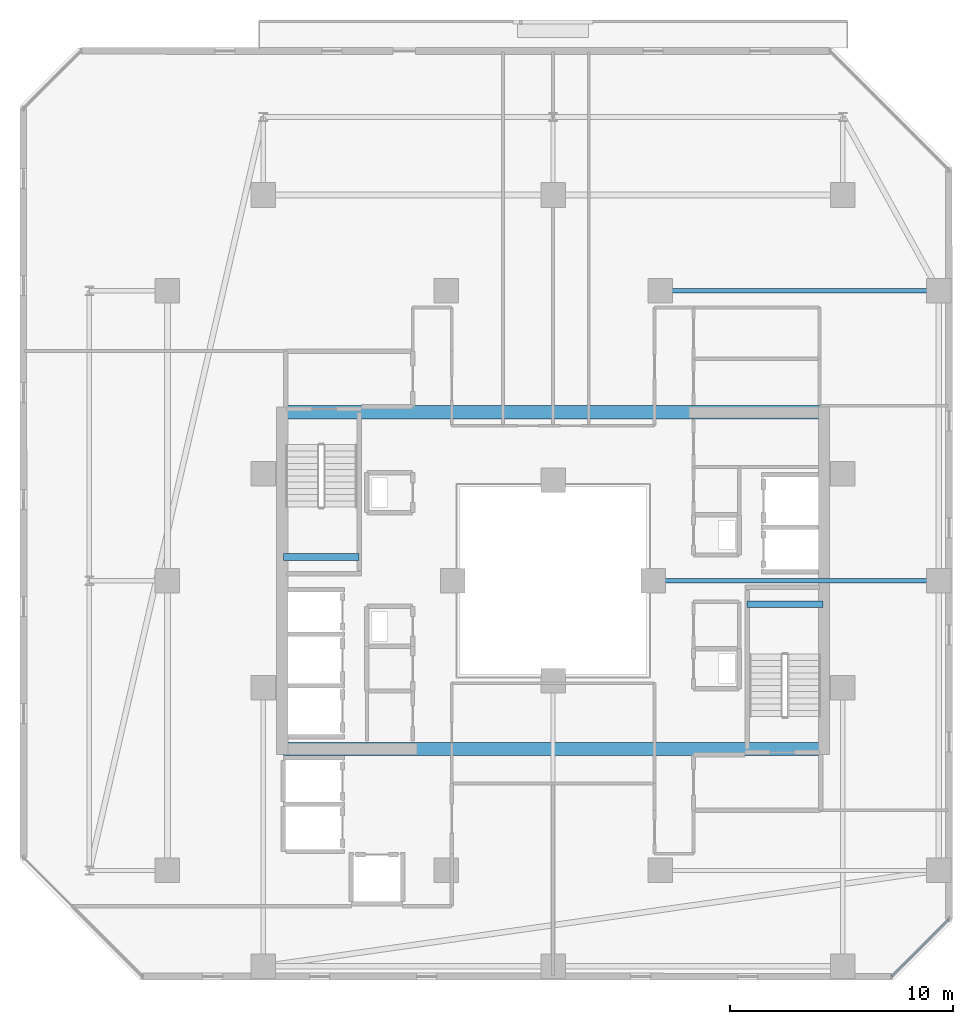
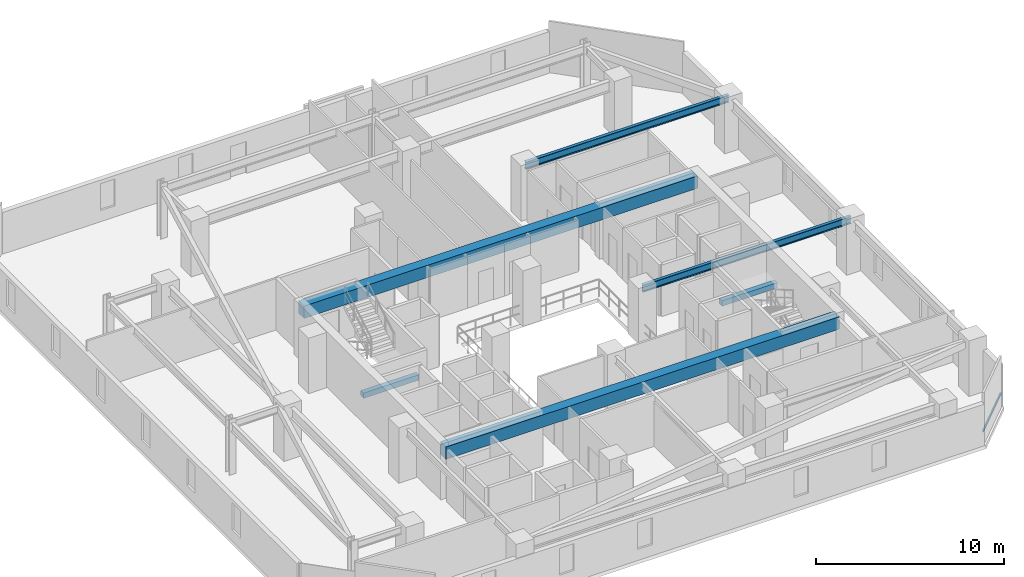
# One storey, part 14 of 33: 6 beams, 1 member, 1 element without a shape of its own.
"""IFC4 building model written with IfcOpenShell, lengths in metres."""

from ifc_helpers import new_model, si_unit, direction, frame, origin, origin_2d, place, context, subcontext, project, spatial, rectangle, hollow_rectangle, i_section, extrude, material, material_profile, profile_set, type_object, element, aggregate, save


model = new_model("IFC4")

# Units and contexts
model_context = context("Model", 3, precision=1e-05, world=origin(), true_north=direction((0.0, 1.0)))
body_context = subcontext(model_context, "Body", "Model", "MODEL_VIEW")
ifc_project = project(units=[si_unit("LENGTHUNIT", "METRE"), si_unit("AREAUNIT", "SQUARE_METRE"), si_unit("VOLUMEUNIT", "CUBIC_METRE"), si_unit("PLANEANGLEUNIT", "RADIAN"), si_unit("MASSUNIT", "GRAM", prefix="KILO")], contexts=[model_context])

# Site, building, storey
site_placement = place(None, origin())
site = spatial("IfcSite", under=ifc_project, at=site_placement, CompositionType="ELEMENT")
building_placement = place(site_placement, origin())
building = spatial("IfcBuilding", under=site, at=building_placement, Name="Thornwick Lancets Civic Towers", CompositionType="ELEMENT")
storey_placement = place(building_placement, frame((0.0, 0.0, 185.699951171875)))
storey = spatial("IfcBuildingStorey", under=building, at=storey_placement, Name="L49", CompositionType="ELEMENT", Elevation=185.699951171875)

# Beams
ifc_material_1 = material(Name="Concrete C60/75", Category="concrete")
ifc_material_profile_1 = material_profile(ifc_material_1, rectangle(XDim=0.60009765625, YDim=0.800048828125, at=origin_2d()), Name="RC 600x800")
ifc_profile_set_1 = profile_set([ifc_material_profile_1], Name="Concrete C60/75")
beam_type_1 = type_object("IfcBeamType", Name="BM_COUP_RC800", PredefinedType="BEAM", material=ifc_profile_set_1)
for number, where, z_axis, x_axis, name in (
    (1, (76.39990234375, 34.550048828125, 2.9599609375), (1.0, 0.0, 0.0), (0.0, 1.0, 0.0), "CB-L49-B1"),
    (2, (76.39990234375, 19.449951171875, 2.9599609375), (1.0, 0.0, 0.0), (0.0, 1.0, 0.0), "CB-L49-B2"),
):
    element("IfcBeam", number, at=place(storey_placement, frame(where, z_axis=z_axis, x_axis=x_axis)), inside=storey, type_object=beam_type_1, Name=name, PredefinedType="BEAM", context=body_context, shape_type="SweptSolid", body=[
        extrude(rectangle(XDim=0.60009765625, YDim=0.800048828125, at=origin_2d()), origin(), (0.0, 0.0, 1.0), 24.2001953125),
    ])
ifc_material_2 = material(Name="Steel S355JR", Category="steel")
ifc_material_profile_2 = material_profile(ifc_material_2, i_section(OverallWidth=0.19287109375, OverallDepth=0.46728515625, WebThickness=0.011474609375, FlangeThickness=0.01953125, FilletRadius=0.01025390625, at=origin_2d()), Name="UKB 457x191x98")
ifc_profile_set_2 = profile_set([ifc_material_profile_2], Name="Steel S355JR")
beam_type_2 = type_object("IfcBeamType", Name="BM_JOIST_457_98", PredefinedType="JOIST", material=ifc_profile_set_2)
beam_1_placement = place(storey_placement, frame((93.0, 27.0, 3.12646484375), z_axis=(1.0, 0.0, 0.0), x_axis=(0.0, 1.0, 0.0)))
element("IfcBeam", 3, at=beam_1_placement, inside=storey, type_object=beam_type_2, Name="BM-RADIN-L49-B02", PredefinedType="JOIST", context=body_context, shape_type="SweptSolid", body=[
    extrude(i_section(OverallWidth=0.19287109375, OverallDepth=0.46728515625, WebThickness=0.011474609375, FlangeThickness=0.01953125, FilletRadius=0.01025390625, at=origin_2d()), origin(), (0.0, 0.0, 1.0), 12.800048828125),
])
beam_2_placement = place(storey_placement, frame((93.300048828125, 40.0, 3.12646484375), z_axis=(1.0, 0.0, 0.0), x_axis=(0.0, 1.0, 0.0)))
element("IfcBeam", 4, at=beam_2_placement, inside=storey, type_object=beam_type_2, Name="BM-RADIN-L49-B03", PredefinedType="JOIST", context=body_context, shape_type="SweptSolid", body=[
    extrude(i_section(OverallWidth=0.19287109375, OverallDepth=0.46728515625, WebThickness=0.011474609375, FlangeThickness=0.01953125, FilletRadius=0.01025390625, at=origin_2d()), origin(), (0.0, 0.0, 1.0), 12.5),
])
ifc_material_3 = material(Name="Concrete C40/50", Category="concrete")
ifc_material_profile_3 = material_profile(ifc_material_3, rectangle(XDim=0.300048828125, YDim=0.35009765625, at=origin_2d()), Name="RC 300x350")
ifc_profile_set_3 = profile_set([ifc_material_profile_3], Name="Concrete C40/50")
beam_type_3 = type_object("IfcBeamType", Name="BM_STAIR_LDG", PredefinedType="BEAM", material=ifc_profile_set_3)
for number, where, z_axis, x_axis, name in (
    (5, (100.60009765625, 25.93505859375, 1.3779296875), (-1.0, 0.0, 0.0), (0.0, -1.0, 0.0), "L49 ST-B1 Landing Support Beam 1"),
    (6, (76.39990234375, 28.06494140625, 1.3779296875), (1.0, 0.0, 0.0), (0.0, 1.0, 0.0), "L49 ST-B2 Landing Support Beam 1"),
):
    element("IfcBeam", number, at=place(storey_placement, frame(where, z_axis=z_axis, x_axis=x_axis)), inside=storey, type_object=beam_type_3, Name=name, PredefinedType="BEAM", context=body_context, shape_type="SweptSolid", body=[
        extrude(rectangle(XDim=0.300048828125, YDim=0.35009765625, at=origin_2d()), origin(), (0.0, 0.0, 1.0), 3.400146484375),
    ])

# Curtain wall, member
ifc_material_4 = material(Name="Mid-zone chamfered-corner unitised glass curtain wall", Category="glass")
curtain_wall_type = type_object("IfcCurtainWallType", Name="CW_SYS_04", PredefinedType="NOTDEFINED", material=ifc_material_4)
curtain_wall_placement = place(storey_placement, origin())
curtain_wall = element("IfcCurtainWall", 7, at=curtain_wall_placement, inside=storey, type_object=curtain_wall_type, Name="L49 Curtain Wall CW-L49-B-E1", PredefinedType="NOTDEFINED")
ifc_material_5 = material(Name="Thermally broken bronze aluminium S355", Category="steel")
ifc_material_profile_4 = material_profile(ifc_material_5, hollow_rectangle(XDim=0.074951171875, YDim=0.14990234375, WallThickness=0.0048828125, at=origin_2d()), Name="RHS 150x75x5")
ifc_profile_set_4 = profile_set([ifc_material_profile_4], Name="Thermally broken bronze aluminium S355")
member_type = type_object("IfcMemberType", Name="CW_TRN_150", PredefinedType="USERDEFINED", material=ifc_profile_set_4)
member_placement = place(storey_placement, frame((103.695556640625, 9.24951171875, 0.85009765625), z_axis=(0.707106781187, 0.707106781187, 0.0), x_axis=(-0.707106781187, 0.707106781187, 0.0)))
member = element("IfcMember", 8, at=member_placement, type_object=member_type, Name="CW-L49-B-E1 Transom 0", ObjectType="TRANSOM", PredefinedType="USERDEFINED", context=body_context, shape_type="SweptSolid", body=[
    extrude(hollow_rectangle(XDim=0.074951171875, YDim=0.14990234375, WallThickness=0.0048828125, at=origin_2d()), origin(), (0.0, 0.0, 1.0), 3.61328125),
])
aggregate(curtain_wall, [member])

save(model, "model.ifc")
